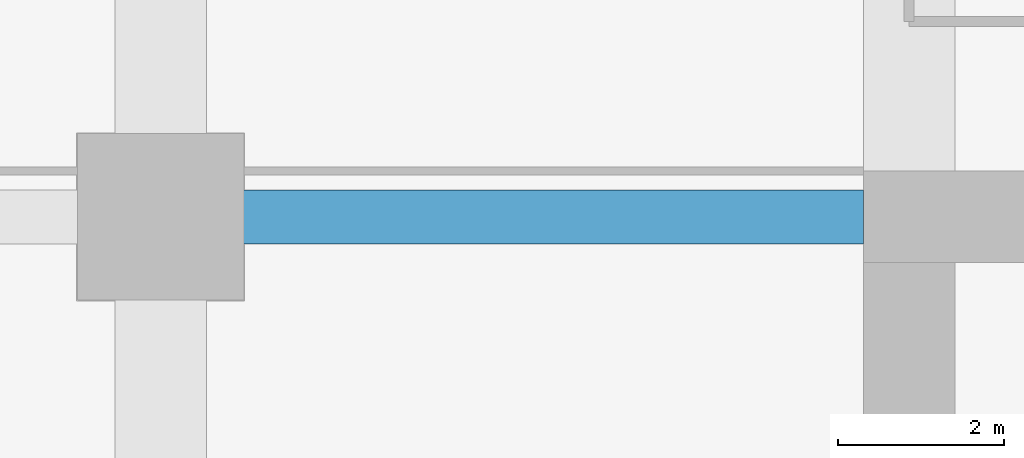
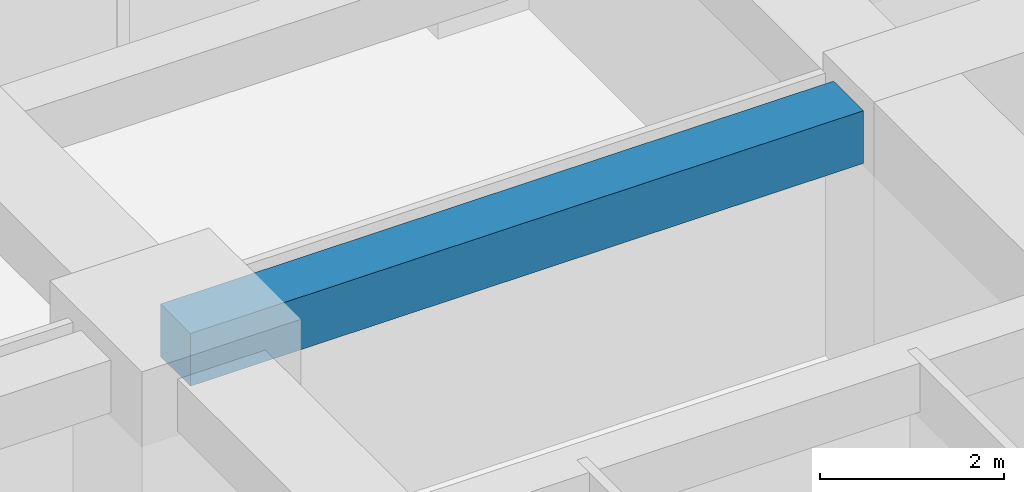
# One storey, part 25 of 39: 1 beam.
"""IFC4 building model written with IfcOpenShell, lengths in metres."""

from ifc_helpers import new_model, si_unit, direction, frame, origin, origin_2d, place, context, subcontext, project, spatial, rectangle, extrude, material, material_profile, profile_set, type_object, element, save


model = new_model("IFC4")

# Units and contexts
model_context = context("Model", 3, precision=1e-05, world=origin(), true_north=direction((0.0, 1.0)))
body_context = subcontext(model_context, "Body", "Model", "MODEL_VIEW")
ifc_project = project(units=[si_unit("LENGTHUNIT", "METRE"), si_unit("AREAUNIT", "SQUARE_METRE"), si_unit("VOLUMEUNIT", "CUBIC_METRE"), si_unit("PLANEANGLEUNIT", "RADIAN"), si_unit("MASSUNIT", "GRAM", prefix="KILO")], contexts=[model_context])

# Site, building, storey
site_placement = place(None, origin())
site = spatial("IfcSite", under=ifc_project, at=site_placement, CompositionType="ELEMENT")
building_placement = place(site_placement, origin())
building = spatial("IfcBuilding", under=site, at=building_placement, Name="Zorevar Civic Tower", CompositionType="ELEMENT")
storey_placement = place(building_placement, frame((0.0, 0.0, 121.0)))
storey = spatial("IfcBuildingStorey", under=building, at=storey_placement, Name="L29", CompositionType="ELEMENT", Elevation=121.0)

# Beam
ifc_material = material(Name="Concrete C50/60", Category="concrete")
ifc_material_profile = material_profile(ifc_material, rectangle(XDim=0.64990234375, YDim=0.699951171875, at=origin_2d()), Name="RC 650x700")
ifc_profile_set = profile_set([ifc_material_profile], Name="Concrete C50/60")
beam_type = type_object("IfcBeamType", Name="Beam RC 650x700", PredefinedType="BEAM", material=ifc_profile_set)
beam_placement = place(storey_placement, frame((9.0, 36.0, 3.39990234375), z_axis=(1.0, 0.0, 0.0), x_axis=(0.0, 1.0, 0.0)))
element("IfcBeam", 1, at=beam_placement, inside=storey, type_object=beam_type, Name="Girder L30", PredefinedType="BEAM", context=body_context, shape_type="SweptSolid", body=[
    extrude(rectangle(XDim=0.64990234375, YDim=0.699951171875, at=origin_2d()), origin(), (0.0, 0.0, 1.0), 8.449951171875),
])

save(model, "model.ifc")
